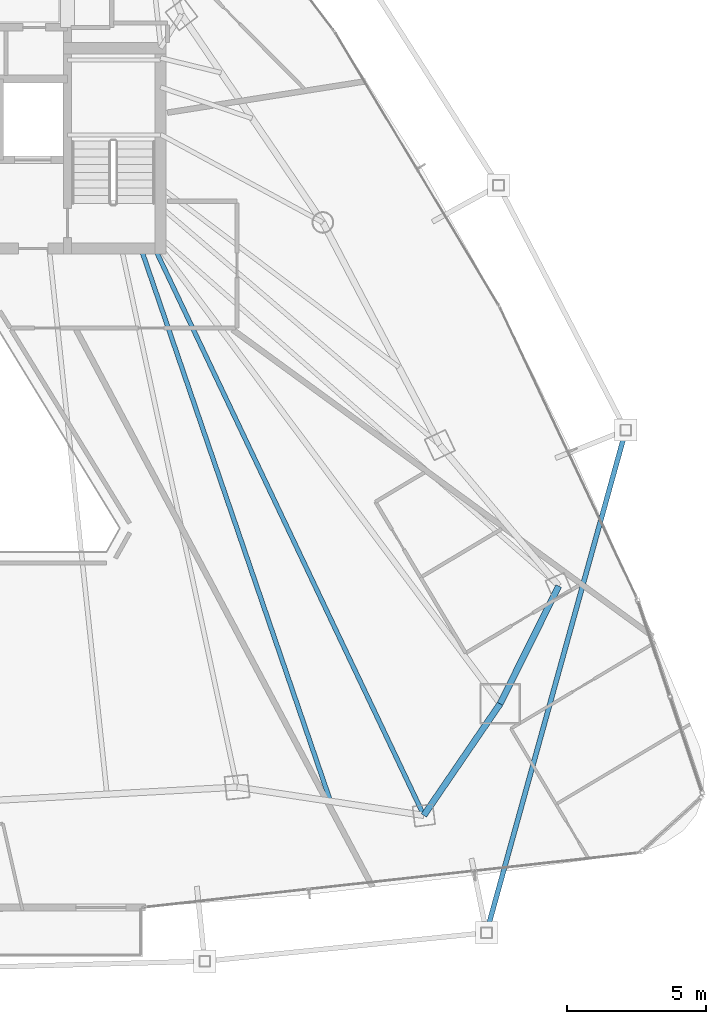
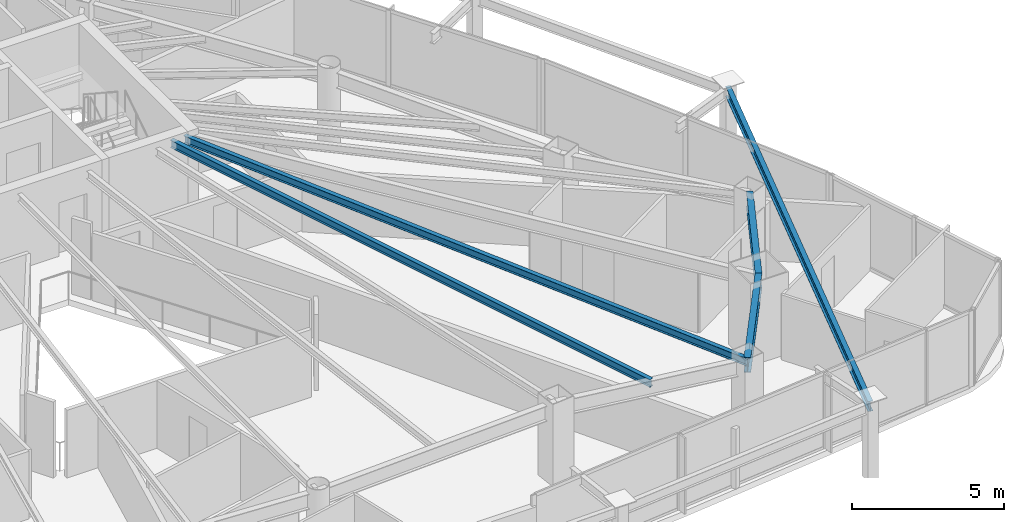
# One storey, part 13 of 33: 5 beams.
"""IFC4 building model written with IfcOpenShell, lengths in metres."""

from ifc_helpers import new_model, si_unit, direction, frame, origin, origin_2d, place, context, subcontext, project, spatial, i_section, extrude, material, material_profile, profile_set, type_object, element, save


model = new_model("IFC4")

# Units and contexts
model_context = context("Model", 3, precision=1e-05, world=origin(), true_north=direction((0.0, 1.0)))
body_context = subcontext(model_context, "Body", "Model", "MODEL_VIEW")
ifc_project = project(units=[si_unit("LENGTHUNIT", "METRE"), si_unit("AREAUNIT", "SQUARE_METRE"), si_unit("VOLUMEUNIT", "CUBIC_METRE"), si_unit("PLANEANGLEUNIT", "RADIAN"), si_unit("MASSUNIT", "GRAM", prefix="KILO")], contexts=[model_context])

# Site, building, storey
site_placement = place(None, origin())
site = spatial("IfcSite", under=ifc_project, at=site_placement, CompositionType="ELEMENT")
building_placement = place(site_placement, origin())
building = spatial("IfcBuilding", under=site, at=building_placement, Name="Orvanel Arch Residences", CompositionType="ELEMENT")
storey_placement = place(building_placement, frame((0.0, 0.0, 123.199951171875)))
storey = spatial("IfcBuildingStorey", under=building, at=storey_placement, Name="L34", CompositionType="ELEMENT", Elevation=123.199951171875)

# Beams
ifc_material = material(Name="Structural steel AS/NZS 3679.1 Grade 300 (300 MPa)", Category="steel")
ifc_material_profile_1 = material_profile(ifc_material, i_section(OverallWidth=0.1650390625, OverallDepth=0.303955078125, WebThickness=0.006103515625, FlangeThickness=0.01025390625, at=origin_2d()), Name="310UB40.4")
ifc_profile_set_1 = profile_set([ifc_material_profile_1], Name="Structural steel AS/NZS 3679.1 Grade 300 (300 MPa)")
beam_type_1 = type_object("IfcBeamType", Name="BJ-310UB", PredefinedType="JOIST", material=ifc_profile_set_1)
beam_1_placement = place(storey_placement, frame((39.39990234375, 26.699951171875, 2.907958984375), z_axis=(0.428614365266, -0.903487534993, 0.0), x_axis=(0.903487534993, 0.428614365266, 0.0)))
element("IfcBeam", 1, at=beam_1_placement, inside=storey, type_object=beam_type_1, Name="L34 MSE Wing Floor Joist", PredefinedType="JOIST", context=body_context, shape_type="SweptSolid", body=[
    extrude(i_section(OverallWidth=0.1650390625, OverallDepth=0.303955078125, WebThickness=0.006103515625, FlangeThickness=0.01025390625, at=origin_2d()), origin(), (0.0, 0.0, 1.0), 22.535888671875),
])
beam_2_placement = place(storey_placement, frame((38.89990234375, 26.699951171875, 2.907958984375), z_axis=(0.324257108963, -0.945968988544, 0.0), x_axis=(0.945968988544, 0.324257108963, 0.0)))
element("IfcBeam", 2, at=beam_2_placement, inside=storey, type_object=beam_type_1, Name="L34 JADD2 Wing Floor Joist", PredefinedType="JOIST", context=body_context, shape_type="SweptSolid", body=[
    extrude(i_section(OverallWidth=0.1650390625, OverallDepth=0.303955078125, WebThickness=0.006103515625, FlangeThickness=0.01025390625, at=origin_2d()), origin(), (0.0, 0.0, 1.0), 20.987060546875),
])
ifc_material_profile_2 = material_profile(ifc_material, i_section(OverallWidth=0.177978515625, OverallDepth=0.406005859375, WebThickness=0.0078125, FlangeThickness=0.0126953125, at=origin_2d()), Name="410UB59.7")
ifc_profile_set_2 = profile_set([ifc_material_profile_2], Name="Structural steel AS/NZS 3679.1 Grade 300 (300 MPa)")
beam_type_2 = type_object("IfcBeamType", Name="OB-410UB-EXT", PredefinedType="SPANDREL", material=ifc_profile_set_2)
beam_3_placement = place(storey_placement, frame((51.30908203125, 2.125, 2.85693359375), z_axis=(0.267151256857, 0.963654609266, 0.0), x_axis=(-0.963654609266, 0.267151256857, 0.0)))
element("IfcBeam", 3, at=beam_3_placement, inside=storey, type_object=beam_type_2, Name="L34 Outer Perimeter Floor Ring Beam 08", PredefinedType="SPANDREL", context=body_context, shape_type="SweptSolid", body=[
    extrude(i_section(OverallWidth=0.177978515625, OverallDepth=0.406005859375, WebThickness=0.0078125, FlangeThickness=0.0126953125, at=origin_2d()), origin(), (0.0, 0.0, 1.0), 18.738037109375),
])
ifc_material_profile_3 = material_profile(ifc_material, i_section(OverallWidth=0.22900390625, OverallDepth=0.612060546875, WebThickness=0.011962890625, FlangeThickness=0.01953125, at=origin_2d()), Name="610UB125")
ifc_profile_set_3 = profile_set([ifc_material_profile_3], Name="Structural steel AS/NZS 3679.1 Grade 300 (300 MPa)")
beam_type_3 = type_object("IfcBeamType", Name="SP-610UB", PredefinedType="SPANDREL", material=ifc_profile_set_3)
beam_4_placement = place(storey_placement, frame((49.05908203125, 6.339111328125, 2.754150390625), z_axis=(0.564251579852, 0.825602903722, 0.0), x_axis=(-0.825602903722, 0.564251579852, 0.0)))
element("IfcBeam", 4, at=beam_4_placement, inside=storey, type_object=beam_type_3, Name="L34 Perimeter Spandrel Beam 08", PredefinedType="SPANDREL", context=body_context, shape_type="SweptSolid", body=[
    extrude(i_section(OverallWidth=0.22900390625, OverallDepth=0.612060546875, WebThickness=0.011962890625, FlangeThickness=0.01953125, at=origin_2d()), origin(), (0.0, 0.0, 1.0), 4.859375),
])
beam_5_placement = place(storey_placement, frame((51.801025390625, 10.35107421875, 2.754150390625), z_axis=(0.44543469453, 0.895314432425, 0.0), x_axis=(-0.895314432425, 0.44543469453, 0.0)))
element("IfcBeam", 5, at=beam_5_placement, inside=storey, type_object=beam_type_3, Name="L34 Perimeter Spandrel Beam 09", PredefinedType="SPANDREL", context=body_context, shape_type="SweptSolid", body=[
    extrude(i_section(OverallWidth=0.22900390625, OverallDepth=0.612060546875, WebThickness=0.011962890625, FlangeThickness=0.01953125, at=origin_2d()), origin(), (0.0, 0.0, 1.0), 4.723388671875),
])

save(model, "model.ifc")
